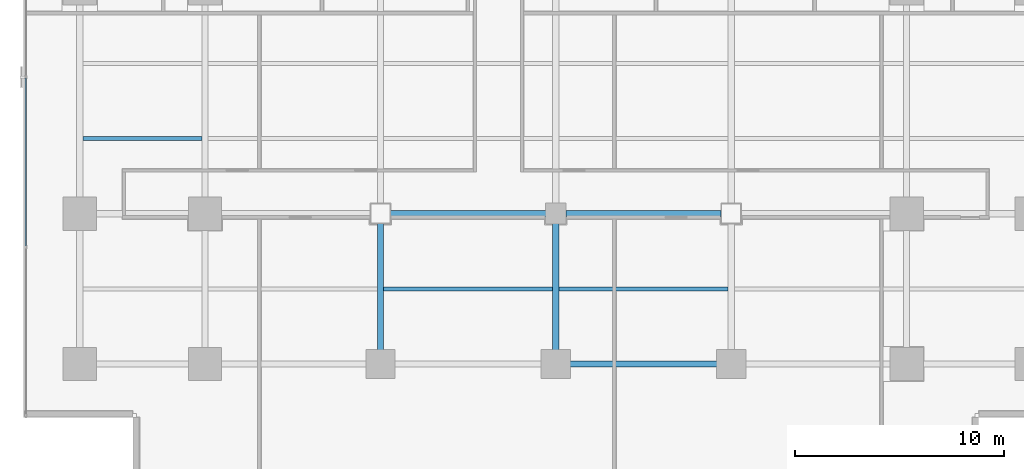
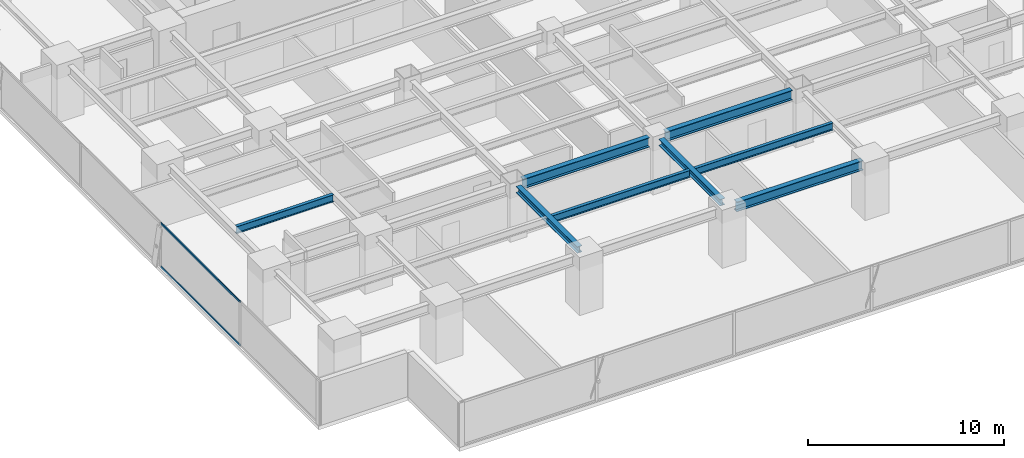
# One storey, part 7 of 36: 8 beams, 2 members, 1 element without a shape of its own.
"""IFC4 building model written with IfcOpenShell, lengths in metres."""

from ifc_helpers import new_model, si_unit, direction, frame, origin, origin_2d, place, context, subcontext, project, spatial, hollow_rectangle, i_section, extrude, source, transform, mapped, material, layer, layer_set, material_profile, profile_set, type_object, element, aggregate, save


model = new_model("IFC4")

# Units and contexts
model_context = context("Model", 3, precision=1e-05, world=origin(), true_north=direction((0.0, 1.0)))
body_context = subcontext(model_context, "Body", "Model", "MODEL_VIEW")
ifc_project = project(units=[si_unit("LENGTHUNIT", "METRE"), si_unit("AREAUNIT", "SQUARE_METRE"), si_unit("VOLUMEUNIT", "CUBIC_METRE"), si_unit("PLANEANGLEUNIT", "RADIAN"), si_unit("MASSUNIT", "GRAM", prefix="KILO")], contexts=[model_context])

# Site, building, storey
site_placement = place(None, origin())
site = spatial("IfcSite", under=ifc_project, at=site_placement, CompositionType="ELEMENT")
building_placement = place(site_placement, origin())
building = spatial("IfcBuilding", under=site, at=building_placement, Name="Sumidabori Civic Tower", CompositionType="ELEMENT")
storey_placement = place(building_placement, frame((0.0, 0.0, 92.0)))
storey = spatial("IfcBuildingStorey", under=building, at=storey_placement, Name="L23", CompositionType="ELEMENT", Elevation=92.0)

# Beams
ifc_material_1 = material(Name="Steel SN490", Category="steel")
ifc_material_profile_1 = material_profile(ifc_material_1, i_section(OverallWidth=0.300048828125, OverallDepth=0.60009765625, WebThickness=0.015380859375, FlangeThickness=0.030029296875, at=origin_2d()), Name="HE 600 B")
ifc_profile_set_1 = profile_set([ifc_material_profile_1], Name="Steel SN490")
beam_type_1 = type_object("IfcBeamType", Name="BM-GIRD-600", PredefinedType="BEAM", material=ifc_profile_set_1)
shared_shape_1 = source(origin(), body_context, "Body", "SweptSolid", [
    extrude(i_section(OverallWidth=0.300048828125, OverallDepth=0.60009765625, WebThickness=0.015380859375, FlangeThickness=0.030029296875, at=origin_2d()), origin(), (0.0, 0.0, 1.0), 7.43994140625),
])
for number, where, z_axis, x_axis, name in (
    (1, (0.47998046875, -18.0, 3.06005859375), (1.0, 0.0, 0.0), (0.0, 1.0, 0.0), "Primary Girder L23 GX-04"),
    (2, (-7.919921875, -10.800048828125, 3.06005859375), (1.0, 0.0, 0.0), (0.0, 1.0, 0.0), "Primary Girder L23 GX-09"),
    (3, (0.47998046875, -10.800048828125, 3.06005859375), (1.0, 0.0, 0.0), (0.0, 1.0, 0.0), "Primary Girder L23 GX-10"),
):
    element("IfcBeam", number, at=place(storey_placement, frame(where, z_axis=z_axis, x_axis=x_axis)), inside=storey, type_object=beam_type_1, Name=name, PredefinedType="BEAM", context=body_context, shape_type="MappedRepresentation", body=[
        mapped(shared_shape_1, transform((0.0, 0.0, 0.0), x_axis=(1.0, 0.0, 0.0), y_axis=(0.0, 1.0, 0.0), z_axis=(0.0, 0.0, 1.0), scale=1.0)),
    ])
ifc_material_profile_2 = material_profile(ifc_material_1, i_section(OverallWidth=0.300048828125, OverallDepth=0.39990234375, WebThickness=0.013427734375, FlangeThickness=0.02392578125, at=origin_2d()), Name="HE 400 B")
ifc_profile_set_2 = profile_set([ifc_material_profile_2], Name="Steel SN490")
beam_type_2 = type_object("IfcBeamType", Name="BM-GIRD-400", PredefinedType="BEAM", material=ifc_profile_set_2)
shared_shape_2 = source(origin(), body_context, "Body", "SweptSolid", [
    extrude(i_section(OverallWidth=0.300048828125, OverallDepth=0.39990234375, WebThickness=0.013427734375, FlangeThickness=0.02392578125, at=origin_2d()), origin(), (0.0, 0.0, 1.0), 6.239990234375),
])
for number, where, z_axis, x_axis, name in (
    (4, (-8.39990234375, -17.52001953125, 3.159912109375), (0.0, 1.0, 0.0), (-1.0, 0.0, 0.0), "Primary Girder L23 GY-29"),
    (5, (0.0, -17.52001953125, 3.159912109375), (0.0, 1.0, 0.0), (-1.0, 0.0, 0.0), "Primary Girder L23 GY-31"),
):
    element("IfcBeam", number, at=place(storey_placement, frame(where, z_axis=z_axis, x_axis=x_axis)), inside=storey, type_object=beam_type_2, Name=name, PredefinedType="BEAM", context=body_context, shape_type="MappedRepresentation", body=[
        mapped(shared_shape_2, transform((0.0, 0.0, 0.0), x_axis=(1.0, 0.0, 0.0), y_axis=(0.0, 1.0, 0.0), z_axis=(0.0, 0.0, 1.0), scale=1.0)),
    ])
ifc_material_profile_3 = material_profile(ifc_material_1, i_section(OverallWidth=0.18994140625, OverallDepth=0.449951171875, WebThickness=0.009521484375, FlangeThickness=0.0146484375, at=origin_2d()), Name="IPE 450")
ifc_profile_set_3 = profile_set([ifc_material_profile_3], Name="Steel SN490")
beam_type_3 = type_object("IfcBeamType", Name="BM-JST-450", PredefinedType="JOIST", material=ifc_profile_set_3)
shared_shape_3 = source(origin(), body_context, "Body", "SweptSolid", [
    extrude(i_section(OverallWidth=0.18994140625, OverallDepth=0.449951171875, WebThickness=0.009521484375, FlangeThickness=0.0146484375, at=origin_2d()), origin(), (0.0, 0.0, 1.0), 5.699951171875),
])
beam_placement = place(storey_placement, frame((-22.64990234375, -7.199951171875, 3.135009765625), z_axis=(1.0, 0.0, 0.0), x_axis=(0.0, 1.0, 0.0)))
element("IfcBeam", 6, at=beam_placement, inside=storey, type_object=beam_type_3, Name="Outer Bay Floor Joist L23 JSTO-43", PredefinedType="JOIST", context=body_context, shape_type="MappedRepresentation", body=[
    mapped(shared_shape_3, transform((0.0, 0.0, 0.0), x_axis=(1.0, 0.0, 0.0), y_axis=(0.0, 1.0, 0.0), z_axis=(0.0, 0.0, 1.0), scale=1.0)),
])
shared_shape_4 = source(origin(), body_context, "Body", "SweptSolid", [
    extrude(i_section(OverallWidth=0.18994140625, OverallDepth=0.449951171875, WebThickness=0.009521484375, FlangeThickness=0.0146484375, at=origin_2d()), origin(), (0.0, 0.0, 1.0), 8.10009765625),
])
for number, where, z_axis, x_axis, name in (
    (7, (-8.25, -14.39990234375, 3.135009765625), (1.0, 0.0, 0.0), (0.0, 1.0, 0.0), "South Bay Floor Joist L23 JSTS-56"),
    (8, (0.14990234375, -14.39990234375, 3.135009765625), (1.0, 0.0, 0.0), (0.0, 1.0, 0.0), "South Bay Floor Joist L23 JSTS-57"),
):
    element("IfcBeam", number, at=place(storey_placement, frame(where, z_axis=z_axis, x_axis=x_axis)), inside=storey, type_object=beam_type_3, Name=name, PredefinedType="JOIST", context=body_context, shape_type="MappedRepresentation", body=[
        mapped(shared_shape_4, transform((0.0, 0.0, 0.0), x_axis=(1.0, 0.0, 0.0), y_axis=(0.0, 1.0, 0.0), z_axis=(0.0, 0.0, 1.0), scale=1.0)),
    ])

# Curtain wall, members
ifc_material_2 = material(Name="Anodised Bronze Aluminium AW-6063-T6", Category="aluminium")
ifc_layer = layer(ifc_material_2, 0.179931640625, Name="Anodised Bronze Aluminium AW-6063-T6")
ifc_layer_set = layer_set([ifc_layer], Name="Anodised Bronze Aluminium AW-6063-T6")
curtain_wall_type = type_object("IfcCurtainWallType", Name="CW-SYS-3", PredefinedType="NOTDEFINED", material=ifc_layer_set)
curtain_wall_placement = place(storey_placement, origin())
curtain_wall = element("IfcCurtainWall", 9, at=curtain_wall_placement, inside=storey, type_object=curtain_wall_type, Name="Curtain Wall CW:L23:R10", PredefinedType="NOTDEFINED")
ifc_material_profile_4 = material_profile(ifc_material_2, hollow_rectangle(XDim=0.06005859375, YDim=0.1298828125, WallThickness=0.0048828125, at=origin_2d()), Name="ALU TRANSOM 130x60")
ifc_profile_set_4 = profile_set([ifc_material_profile_4], Name="Anodised Bronze Aluminium AW-6063-T6")
member_type = type_object("IfcMemberType", Name="CW-TRN-130", PredefinedType="USERDEFINED", material=ifc_profile_set_4)
shared_shape_5 = source(origin(), body_context, "Body", "SweptSolid", [
    extrude(hollow_rectangle(XDim=0.06005859375, YDim=0.1298828125, WallThickness=0.0048828125, at=origin_2d()), origin(), (0.0, 0.0, 1.0), 8.063232421875),
])
member_1_placement = place(storey_placement, frame((-25.3798828125, -4.29638671875, 0.030029296875), z_axis=(0.0, -1.0, 0.0), x_axis=(1.0, 0.0, 0.0)))
member_1 = element("IfcMember", 10, at=member_1_placement, type_object=member_type, Name="CW-3 transom 4.1", ObjectType="TRANSOM", PredefinedType="USERDEFINED", context=body_context, shape_type="MappedRepresentation", body=[
    mapped(shared_shape_5, transform((0.0, 0.0, 0.0), x_axis=(1.0, 0.0, 0.0), y_axis=(0.0, 1.0, 0.0), z_axis=(0.0, 0.0, 1.0), scale=1.0)),
])
member_2_placement = place(storey_placement, frame((-25.3798828125, -4.29638671875, 2.7099609375), z_axis=(0.0, -1.0, 0.0), x_axis=(1.0, 0.0, 0.0)))
member_2 = element("IfcMember", 11, at=member_2_placement, type_object=member_type, Name="CW-3 transom 4.2", ObjectType="TRANSOM", PredefinedType="USERDEFINED", context=body_context, shape_type="MappedRepresentation", body=[
    mapped(shared_shape_5, transform((0.0, 0.0, 0.0), x_axis=(1.0, 0.0, 0.0), y_axis=(0.0, 1.0, 0.0), z_axis=(0.0, 0.0, 1.0), scale=1.0)),
])
aggregate(curtain_wall, [member_1, member_2])

save(model, "model.ifc")
